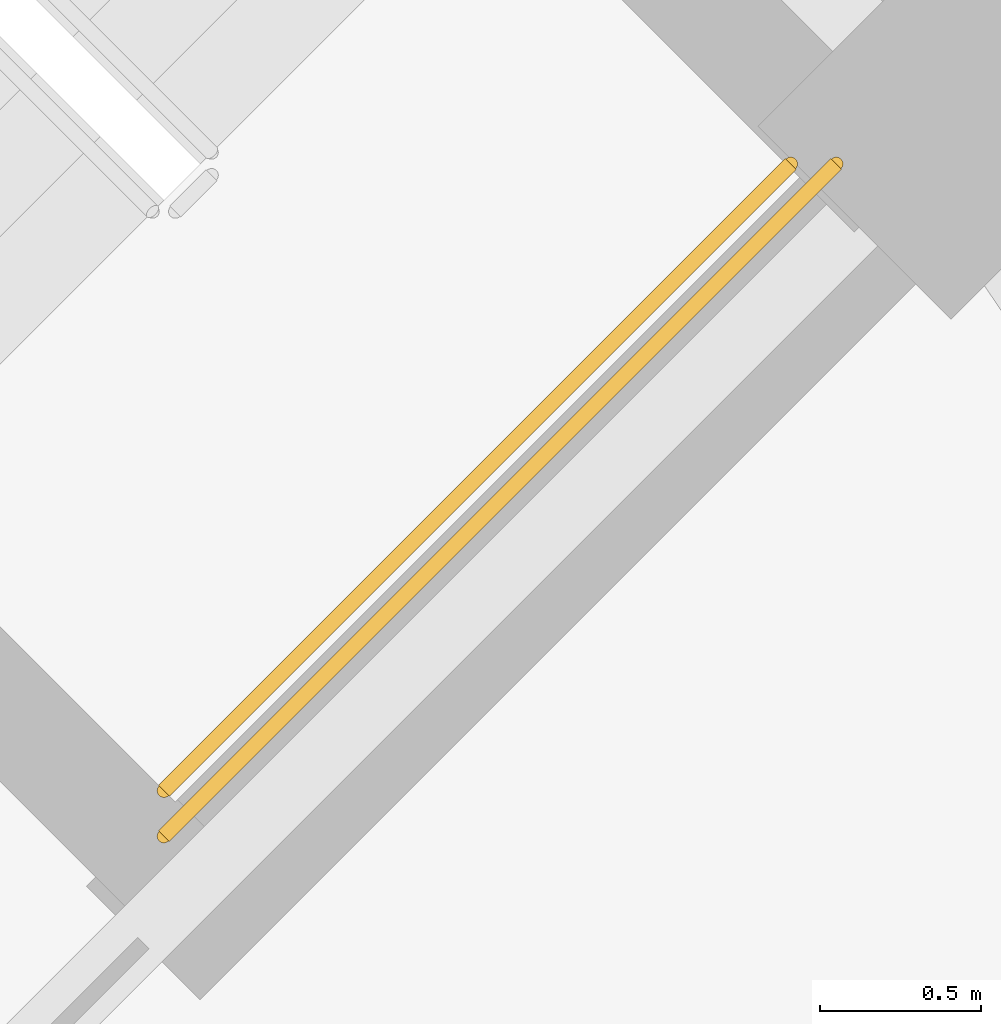
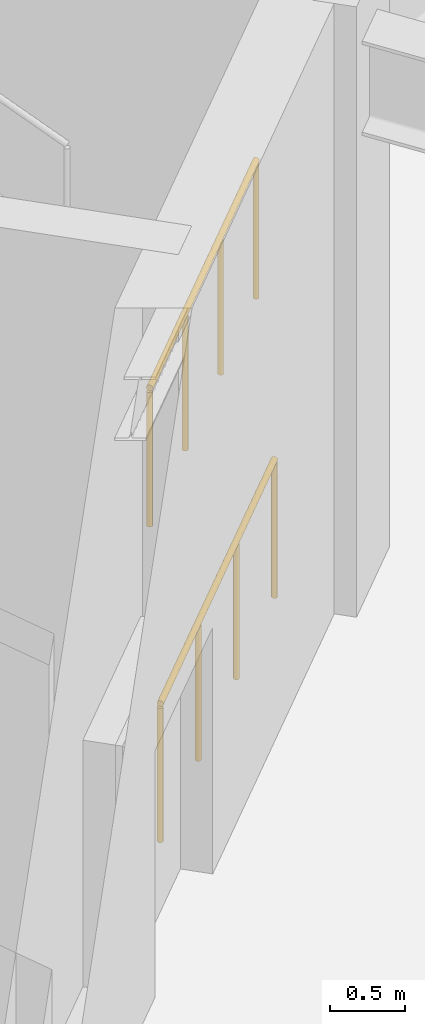
# One storey, part 14 of 14: 2 railings.
"""IFC4 building model written with IfcOpenShell, lengths in metres."""

from ifc_helpers import new_model, si_unit, direction, frame, origin, origin_2d, place, context, subcontext, project, spatial, circle, extrude, material, type_object, element, save


model = new_model("IFC4")

# Units and contexts
model_context = context("Model", 3, precision=1e-05, world=origin(), true_north=direction((0.0, 1.0)))
body_context = subcontext(model_context, "Body", "Model", "MODEL_VIEW")
ifc_project = project(units=[si_unit("LENGTHUNIT", "METRE"), si_unit("AREAUNIT", "SQUARE_METRE"), si_unit("VOLUMEUNIT", "CUBIC_METRE"), si_unit("PLANEANGLEUNIT", "RADIAN"), si_unit("MASSUNIT", "GRAM", prefix="KILO")], contexts=[model_context])

# Site, building, storey
site_placement = place(None, origin())
site = spatial("IfcSite", under=ifc_project, at=site_placement, CompositionType="ELEMENT")
building_placement = place(site_placement, origin())
building = spatial("IfcBuilding", under=site, at=building_placement, Name="Cununo Teusaquillo Station Towers", CompositionType="ELEMENT")
storey_placement = place(building_placement, frame((0.0, 0.0, -5.0)))
storey = spatial("IfcBuildingStorey", under=building, at=storey_placement, Name="B01", CompositionType="ELEMENT", Elevation=-5.0)

# Railings
ifc_material = material(Name="Steel EN 10025-2 S355J2", Category="steel")
railing_type = type_object("IfcRailingType", Name="RL-INT-GUARD", PredefinedType="GUARDRAIL", material=ifc_material)
railing_1_placement = place(storey_placement, frame((63.573974609375, 21.22607421875, 2.5)))
element("IfcRailing", 1, at=railing_1_placement, inside=storey, type_object=railing_type, Name="B01 ST-T2-2 stair guard 3", PredefinedType="GUARDRAIL", context=body_context, shape_type="SweptSolid", body=[
    extrude(circle(Radius=0.02392578125, at=origin_2d()), frame((0.0, 0.0, 1.1259765625), z_axis=(0.707106781187, 0.707106781187, 0.0), x_axis=(-0.707106781187, 0.707106781187, 0.0)), (0.0, 0.0, 1.0), 2.760009765625),
    extrude(circle(Radius=0.02099609375, at=origin_2d()), origin(), (0.0, 0.0, 1.0), 1.101806640625),
    extrude(circle(Radius=0.02099609375, at=origin_2d()), frame((0.650634765625, 0.650634765625, 0.0)), (0.0, 0.0, 1.0), 1.101806640625),
    extrude(circle(Radius=0.02099609375, at=origin_2d()), frame((1.301025390625, 1.301025390625, 0.0)), (0.0, 0.0, 1.0), 1.101806640625),
    extrude(circle(Radius=0.02099609375, at=origin_2d()), frame((1.95166015625, 1.95166015625, 0.0)), (0.0, 0.0, 1.0), 1.101806640625),
])
railing_2_placement = place(storey_placement, frame((63.573974609375, 21.084716796875, 0.0)))
element("IfcRailing", 2, at=railing_2_placement, inside=storey, type_object=railing_type, Name="B01 ST-T2-2 stair guard 6", PredefinedType="GUARDRAIL", context=body_context, shape_type="SweptSolid", body=[
    extrude(circle(Radius=0.02392578125, at=origin_2d()), frame((0.0, 0.0, 1.1259765625), z_axis=(0.707106781187, 0.707106781187, 0.0), x_axis=(-0.707106781187, 0.707106781187, 0.0)), (0.0, 0.0, 1.0), 2.9599609375),
    extrude(circle(Radius=0.02099609375, at=origin_2d()), origin(), (0.0, 0.0, 1.0), 1.101806640625),
    extrude(circle(Radius=0.02099609375, at=origin_2d()), frame((0.69775390625, 0.69775390625, 0.0)), (0.0, 0.0, 1.0), 1.101806640625),
    extrude(circle(Radius=0.02099609375, at=origin_2d()), frame((1.395263671875, 1.395263671875, 0.0)), (0.0, 0.0, 1.0), 1.101806640625),
    extrude(circle(Radius=0.02099609375, at=origin_2d()), frame((2.093017578125, 2.093017578125, 0.0)), (0.0, 0.0, 1.0), 1.101806640625),
])

save(model, "model.ifc")
